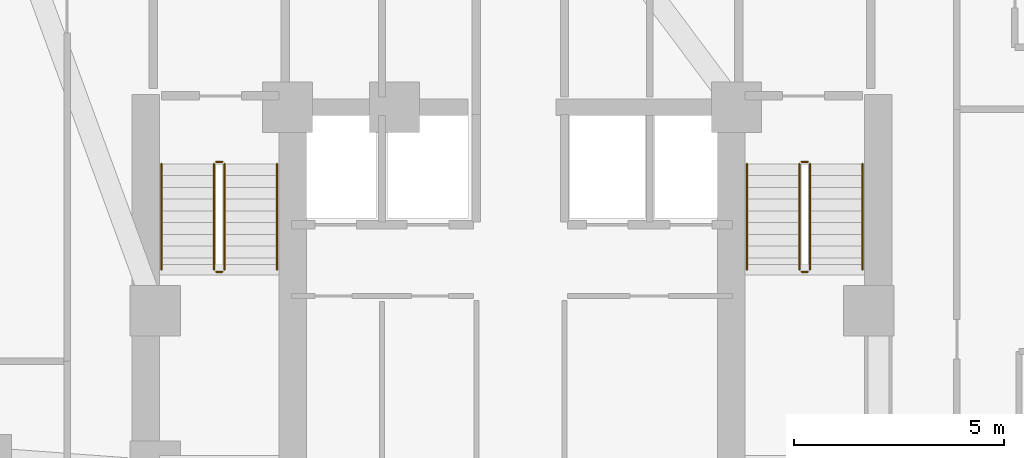
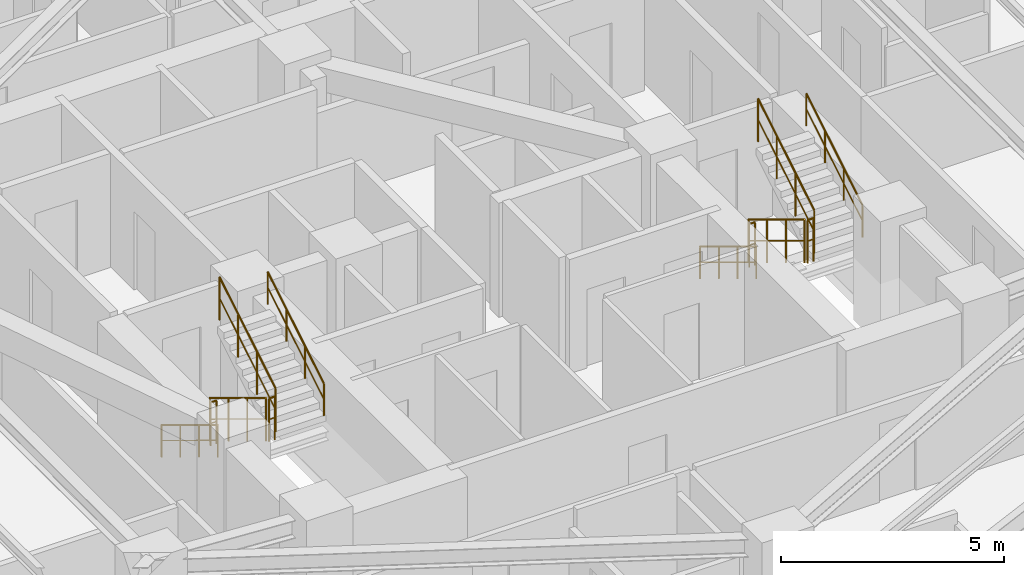
# One storey, part 13 of 13: 12 railings.
"""IFC4 building model written with IfcOpenShell, lengths in metres."""

from ifc_helpers import new_model, si_unit, direction, frame, origin, origin_2d, place, context, subcontext, project, spatial, circle, extrude, material, type_object, element, save


model = new_model("IFC4")

# Units and contexts
model_context = context("Model", 3, precision=1e-05, world=origin(), true_north=direction((0.0, 1.0)))
body_context = subcontext(model_context, "Body", "Model", "MODEL_VIEW")
ifc_project = project(units=[si_unit("LENGTHUNIT", "METRE"), si_unit("AREAUNIT", "SQUARE_METRE"), si_unit("VOLUMEUNIT", "CUBIC_METRE"), si_unit("PLANEANGLEUNIT", "RADIAN"), si_unit("MASSUNIT", "GRAM", prefix="KILO")], contexts=[model_context])

# Site, building, storey
site_placement = place(None, origin())
site = spatial("IfcSite", under=ifc_project, at=site_placement, CompositionType="ELEMENT")
building_placement = place(site_placement, origin())
building = spatial("IfcBuilding", under=site, at=building_placement, Name="Miruveldt Soraemaru", CompositionType="ELEMENT")
storey_placement = place(building_placement, frame((0.0, 0.0, 63.199951171875)))
storey = spatial("IfcBuildingStorey", under=building, at=storey_placement, Name="L17", CompositionType="ELEMENT", Elevation=63.199951171875)

# Railings
ifc_material = material(Name="Steel S355 (355 MPa)", Category="steel")
railing_type_1 = type_object("IfcRailingType", Name="RAIL-HR-900", PredefinedType="HANDRAIL", material=ifc_material)
railing_1_placement = place(storey_placement, frame((35.64990234375, 42.699951171875, 0.170166015625)))
element("IfcRailing", 1, at=railing_1_placement, inside=storey, type_object=railing_type_1, Name="L17 ST-1 stair handrail 1", PredefinedType="HANDRAIL", context=body_context, shape_type="SweptSolid", body=[
    extrude(circle(Radius=0.02392578125, at=origin_2d()), frame((0.0, 0.0, 0.8759765625), z_axis=(0.0, -0.854821627497, 0.518921945155), x_axis=(1.0, 0.0, 0.0)), (0.0, 0.0, 1.0), 2.947998046875),
    extrude(circle(Radius=0.01611328125, at=origin_2d()), frame((0.0, 0.0, 0.449951171875), z_axis=(0.0, -0.854821627497, 0.518921945155), x_axis=(1.0, 0.0, 0.0)), (0.0, 0.0, 1.0), 2.947998046875),
    extrude(circle(Radius=0.02099609375, at=origin_2d()), origin(), (0.0, 0.0, 1.0), 0.851806640625),
    extrude(circle(Radius=0.02099609375, at=origin_2d()), frame((0.0, -0.840087890625, 0.510009765625)), (0.0, 0.0, 1.0), 0.851806640625),
    extrude(circle(Radius=0.02099609375, at=origin_2d()), frame((0.0, -1.679931640625, 1.019775390625)), (0.0, 0.0, 1.0), 0.851806640625),
    extrude(circle(Radius=0.02099609375, at=origin_2d()), frame((0.0, -2.52001953125, 1.52978515625)), (0.0, 0.0, 1.0), 0.851806640625),
])
railing_2_placement = place(storey_placement, frame((38.39990234375, 40.179931640625, 1.8701171875)))
element("IfcRailing", 2, at=railing_2_placement, inside=storey, type_object=railing_type_1, Name="L17 ST-1 stair handrail 2", PredefinedType="HANDRAIL", context=body_context, shape_type="SweptSolid", body=[
    extrude(circle(Radius=0.02392578125, at=origin_2d()), frame((0.0, 0.0, 0.8759765625), z_axis=(0.0, 0.85478489116, 0.518982456201), x_axis=(-1.0, 0.0, 0.0)), (0.0, 0.0, 1.0), 2.9482421875),
    extrude(circle(Radius=0.01611328125, at=origin_2d()), frame((0.0, 0.0, 0.449951171875), z_axis=(0.0, 0.85478489116, 0.518982456201), x_axis=(-1.0, 0.0, 0.0)), (0.0, 0.0, 1.0), 2.9482421875),
    extrude(circle(Radius=0.02099609375, at=origin_2d()), origin(), (0.0, 0.0, 1.0), 0.851806640625),
    extrude(circle(Radius=0.02099609375, at=origin_2d()), frame((0.0, 0.840087890625, 0.510009765625)), (0.0, 0.0, 1.0), 0.851806640625),
    extrude(circle(Radius=0.02099609375, at=origin_2d()), frame((0.0, 1.679931640625, 1.02001953125)), (0.0, 0.0, 1.0), 0.851806640625),
    extrude(circle(Radius=0.02099609375, at=origin_2d()), frame((0.0, 2.52001953125, 1.530029296875)), (0.0, 0.0, 1.0), 0.851806640625),
])
railing_3_placement = place(storey_placement, frame((49.60009765625, 42.699951171875, 0.170166015625)))
element("IfcRailing", 3, at=railing_3_placement, inside=storey, type_object=railing_type_1, Name="L17 ST-2 stair handrail 1", PredefinedType="HANDRAIL", context=body_context, shape_type="SweptSolid", body=[
    extrude(circle(Radius=0.02392578125, at=origin_2d()), frame((0.0, 0.0, 0.8759765625), z_axis=(0.0, -0.854821627497, 0.518921945155), x_axis=(1.0, 0.0, 0.0)), (0.0, 0.0, 1.0), 2.947998046875),
    extrude(circle(Radius=0.01611328125, at=origin_2d()), frame((0.0, 0.0, 0.449951171875), z_axis=(0.0, -0.854821627497, 0.518921945155), x_axis=(1.0, 0.0, 0.0)), (0.0, 0.0, 1.0), 2.947998046875),
    extrude(circle(Radius=0.02099609375, at=origin_2d()), origin(), (0.0, 0.0, 1.0), 0.851806640625),
    extrude(circle(Radius=0.02099609375, at=origin_2d()), frame((0.0, -0.840087890625, 0.510009765625)), (0.0, 0.0, 1.0), 0.851806640625),
    extrude(circle(Radius=0.02099609375, at=origin_2d()), frame((0.0, -1.679931640625, 1.019775390625)), (0.0, 0.0, 1.0), 0.851806640625),
    extrude(circle(Radius=0.02099609375, at=origin_2d()), frame((0.0, -2.52001953125, 1.52978515625)), (0.0, 0.0, 1.0), 0.851806640625),
])
railing_4_placement = place(storey_placement, frame((52.35009765625, 40.179931640625, 1.8701171875)))
element("IfcRailing", 4, at=railing_4_placement, inside=storey, type_object=railing_type_1, Name="L17 ST-2 stair handrail 2", PredefinedType="HANDRAIL", context=body_context, shape_type="SweptSolid", body=[
    extrude(circle(Radius=0.02392578125, at=origin_2d()), frame((0.0, 0.0, 0.8759765625), z_axis=(0.0, 0.85478489116, 0.518982456201), x_axis=(-1.0, 0.0, 0.0)), (0.0, 0.0, 1.0), 2.9482421875),
    extrude(circle(Radius=0.01611328125, at=origin_2d()), frame((0.0, 0.0, 0.449951171875), z_axis=(0.0, 0.85478489116, 0.518982456201), x_axis=(-1.0, 0.0, 0.0)), (0.0, 0.0, 1.0), 2.9482421875),
    extrude(circle(Radius=0.02099609375, at=origin_2d()), origin(), (0.0, 0.0, 1.0), 0.851806640625),
    extrude(circle(Radius=0.02099609375, at=origin_2d()), frame((0.0, 0.840087890625, 0.510009765625)), (0.0, 0.0, 1.0), 0.851806640625),
    extrude(circle(Radius=0.02099609375, at=origin_2d()), frame((0.0, 1.679931640625, 1.02001953125)), (0.0, 0.0, 1.0), 0.851806640625),
    extrude(circle(Radius=0.02099609375, at=origin_2d()), frame((0.0, 2.52001953125, 1.530029296875)), (0.0, 0.0, 1.0), 0.851806640625),
])
railing_type_2 = type_object("IfcRailingType", Name="RAIL-STGUARD-1200", PredefinedType="GUARDRAIL", material=ifc_material)
railing_5_placement = place(storey_placement, frame((36.89990234375, 42.699951171875, 0.170166015625)))
element("IfcRailing", 5, at=railing_5_placement, inside=storey, type_object=railing_type_2, Name="L17 ST-1 stair guard 1", PredefinedType="GUARDRAIL", context=body_context, shape_type="SweptSolid", body=[
    extrude(circle(Radius=0.02392578125, at=origin_2d()), frame((0.0, 0.0, 1.17578125), z_axis=(0.0, -0.854821627497, 0.518921945155), x_axis=(1.0, 0.0, 0.0)), (0.0, 0.0, 1.0), 2.947998046875),
    extrude(circle(Radius=0.01611328125, at=origin_2d()), frame((0.0, 0.0, 0.60009765625), z_axis=(0.0, -0.854821627497, 0.518921945155), x_axis=(1.0, 0.0, 0.0)), (0.0, 0.0, 1.0), 2.947998046875),
    extrude(circle(Radius=0.02099609375, at=origin_2d()), origin(), (0.0, 0.0, 1.0), 1.15185546875),
    extrude(circle(Radius=0.02099609375, at=origin_2d()), frame((0.0, -0.840087890625, 0.510009765625)), (0.0, 0.0, 1.0), 1.15185546875),
    extrude(circle(Radius=0.02099609375, at=origin_2d()), frame((0.0, -1.679931640625, 1.019775390625)), (0.0, 0.0, 1.0), 1.15185546875),
    extrude(circle(Radius=0.02099609375, at=origin_2d()), frame((0.0, -2.52001953125, 1.52978515625)), (0.0, 0.0, 1.0), 1.15185546875),
])
railing_6_placement = place(storey_placement, frame((36.949951171875, 40.1298828125, 1.699951171875)))
element("IfcRailing", 6, at=railing_6_placement, inside=storey, type_object=railing_type_2, Name="L17 ST-1 stair guard 2", PredefinedType="GUARDRAIL", context=body_context, shape_type="SweptSolid", body=[
    extrude(circle(Radius=0.02392578125, at=origin_2d()), frame((0.0, 0.0, 1.17578125), z_axis=(1.0, 0.0, 0.0), x_axis=(0.0, 1.0, 0.0)), (0.0, 0.0, 1.0), 0.150146484375),
    extrude(circle(Radius=0.01611328125, at=origin_2d()), frame((0.0, 0.0, 0.60009765625), z_axis=(1.0, 0.0, 0.0), x_axis=(0.0, 1.0, 0.0)), (0.0, 0.0, 1.0), 0.150146484375),
    extrude(circle(Radius=0.02099609375, at=origin_2d()), origin(), (0.0, 0.0, 1.0), 1.15185546875),
    extrude(circle(Radius=0.02099609375, at=origin_2d()), frame((0.150146484375, 0.0, 0.0)), (0.0, 0.0, 1.0), 1.15185546875),
])
railing_7_placement = place(storey_placement, frame((37.14990234375, 40.179931640625, 1.8701171875)))
element("IfcRailing", 7, at=railing_7_placement, inside=storey, type_object=railing_type_2, Name="L17 ST-1 stair guard 3", PredefinedType="GUARDRAIL", context=body_context, shape_type="SweptSolid", body=[
    extrude(circle(Radius=0.02392578125, at=origin_2d()), frame((0.0, 0.0, 1.17578125), z_axis=(0.0, 0.85478489116, 0.518982456201), x_axis=(-1.0, 0.0, 0.0)), (0.0, 0.0, 1.0), 2.9482421875),
    extrude(circle(Radius=0.01611328125, at=origin_2d()), frame((0.0, 0.0, 0.60009765625), z_axis=(0.0, 0.85478489116, 0.518982456201), x_axis=(-1.0, 0.0, 0.0)), (0.0, 0.0, 1.0), 2.9482421875),
    extrude(circle(Radius=0.02099609375, at=origin_2d()), origin(), (0.0, 0.0, 1.0), 1.15185546875),
    extrude(circle(Radius=0.02099609375, at=origin_2d()), frame((0.0, 0.840087890625, 0.510009765625)), (0.0, 0.0, 1.0), 1.15185546875),
    extrude(circle(Radius=0.02099609375, at=origin_2d()), frame((0.0, 1.679931640625, 1.02001953125)), (0.0, 0.0, 1.0), 1.15185546875),
    extrude(circle(Radius=0.02099609375, at=origin_2d()), frame((0.0, 2.52001953125, 1.530029296875)), (0.0, 0.0, 1.0), 1.15185546875),
])
railing_8_placement = place(storey_placement, frame((36.949951171875, 42.75, 0.0)))
element("IfcRailing", 8, at=railing_8_placement, inside=storey, type_object=railing_type_2, Name="L17 ST-1 stair guard 4", PredefinedType="GUARDRAIL", context=body_context, shape_type="SweptSolid", body=[
    extrude(circle(Radius=0.02392578125, at=origin_2d()), frame((0.0, 0.0, 1.17578125), z_axis=(1.0, 0.0, 0.0), x_axis=(0.0, 1.0, 0.0)), (0.0, 0.0, 1.0), 0.150146484375),
    extrude(circle(Radius=0.01611328125, at=origin_2d()), frame((0.0, 0.0, 0.60009765625), z_axis=(1.0, 0.0, 0.0), x_axis=(0.0, 1.0, 0.0)), (0.0, 0.0, 1.0), 0.150146484375),
    extrude(circle(Radius=0.02099609375, at=origin_2d()), origin(), (0.0, 0.0, 1.0), 1.15185546875),
    extrude(circle(Radius=0.02099609375, at=origin_2d()), frame((0.150146484375, 0.0, 0.0)), (0.0, 0.0, 1.0), 1.15185546875),
])
railing_9_placement = place(storey_placement, frame((50.85009765625, 42.699951171875, 0.170166015625)))
element("IfcRailing", 9, at=railing_9_placement, inside=storey, type_object=railing_type_2, Name="L17 ST-2 stair guard 1", PredefinedType="GUARDRAIL", context=body_context, shape_type="SweptSolid", body=[
    extrude(circle(Radius=0.02392578125, at=origin_2d()), frame((0.0, 0.0, 1.17578125), z_axis=(0.0, -0.854821627497, 0.518921945155), x_axis=(1.0, 0.0, 0.0)), (0.0, 0.0, 1.0), 2.947998046875),
    extrude(circle(Radius=0.01611328125, at=origin_2d()), frame((0.0, 0.0, 0.60009765625), z_axis=(0.0, -0.854821627497, 0.518921945155), x_axis=(1.0, 0.0, 0.0)), (0.0, 0.0, 1.0), 2.947998046875),
    extrude(circle(Radius=0.02099609375, at=origin_2d()), origin(), (0.0, 0.0, 1.0), 1.15185546875),
    extrude(circle(Radius=0.02099609375, at=origin_2d()), frame((0.0, -0.840087890625, 0.510009765625)), (0.0, 0.0, 1.0), 1.15185546875),
    extrude(circle(Radius=0.02099609375, at=origin_2d()), frame((0.0, -1.679931640625, 1.019775390625)), (0.0, 0.0, 1.0), 1.15185546875),
    extrude(circle(Radius=0.02099609375, at=origin_2d()), frame((0.0, -2.52001953125, 1.52978515625)), (0.0, 0.0, 1.0), 1.15185546875),
])
railing_10_placement = place(storey_placement, frame((50.89990234375, 40.1298828125, 1.699951171875)))
element("IfcRailing", 10, at=railing_10_placement, inside=storey, type_object=railing_type_2, Name="L17 ST-2 stair guard 2", PredefinedType="GUARDRAIL", context=body_context, shape_type="SweptSolid", body=[
    extrude(circle(Radius=0.02392578125, at=origin_2d()), frame((0.0, 0.0, 1.17578125), z_axis=(1.0, 0.0, 0.0), x_axis=(0.0, 1.0, 0.0)), (0.0, 0.0, 1.0), 0.150146484375),
    extrude(circle(Radius=0.01611328125, at=origin_2d()), frame((0.0, 0.0, 0.60009765625), z_axis=(1.0, 0.0, 0.0), x_axis=(0.0, 1.0, 0.0)), (0.0, 0.0, 1.0), 0.150146484375),
    extrude(circle(Radius=0.02099609375, at=origin_2d()), origin(), (0.0, 0.0, 1.0), 1.15185546875),
    extrude(circle(Radius=0.02099609375, at=origin_2d()), frame((0.150146484375, 0.0, 0.0)), (0.0, 0.0, 1.0), 1.15185546875),
])
railing_11_placement = place(storey_placement, frame((51.10009765625, 40.179931640625, 1.8701171875)))
element("IfcRailing", 11, at=railing_11_placement, inside=storey, type_object=railing_type_2, Name="L17 ST-2 stair guard 3", PredefinedType="GUARDRAIL", context=body_context, shape_type="SweptSolid", body=[
    extrude(circle(Radius=0.02392578125, at=origin_2d()), frame((0.0, 0.0, 1.17578125), z_axis=(0.0, 0.85478489116, 0.518982456201), x_axis=(-1.0, 0.0, 0.0)), (0.0, 0.0, 1.0), 2.9482421875),
    extrude(circle(Radius=0.01611328125, at=origin_2d()), frame((0.0, 0.0, 0.60009765625), z_axis=(0.0, 0.85478489116, 0.518982456201), x_axis=(-1.0, 0.0, 0.0)), (0.0, 0.0, 1.0), 2.9482421875),
    extrude(circle(Radius=0.02099609375, at=origin_2d()), origin(), (0.0, 0.0, 1.0), 1.15185546875),
    extrude(circle(Radius=0.02099609375, at=origin_2d()), frame((0.0, 0.840087890625, 0.510009765625)), (0.0, 0.0, 1.0), 1.15185546875),
    extrude(circle(Radius=0.02099609375, at=origin_2d()), frame((0.0, 1.679931640625, 1.02001953125)), (0.0, 0.0, 1.0), 1.15185546875),
    extrude(circle(Radius=0.02099609375, at=origin_2d()), frame((0.0, 2.52001953125, 1.530029296875)), (0.0, 0.0, 1.0), 1.15185546875),
])
railing_12_placement = place(storey_placement, frame((50.89990234375, 42.75, 0.0)))
element("IfcRailing", 12, at=railing_12_placement, inside=storey, type_object=railing_type_2, Name="L17 ST-2 stair guard 4", PredefinedType="GUARDRAIL", context=body_context, shape_type="SweptSolid", body=[
    extrude(circle(Radius=0.02392578125, at=origin_2d()), frame((0.0, 0.0, 1.17578125), z_axis=(1.0, 0.0, 0.0), x_axis=(0.0, 1.0, 0.0)), (0.0, 0.0, 1.0), 0.150146484375),
    extrude(circle(Radius=0.01611328125, at=origin_2d()), frame((0.0, 0.0, 0.60009765625), z_axis=(1.0, 0.0, 0.0), x_axis=(0.0, 1.0, 0.0)), (0.0, 0.0, 1.0), 0.150146484375),
    extrude(circle(Radius=0.02099609375, at=origin_2d()), origin(), (0.0, 0.0, 1.0), 1.15185546875),
    extrude(circle(Radius=0.02099609375, at=origin_2d()), frame((0.150146484375, 0.0, 0.0)), (0.0, 0.0, 1.0), 1.15185546875),
])

save(model, "model.ifc")
